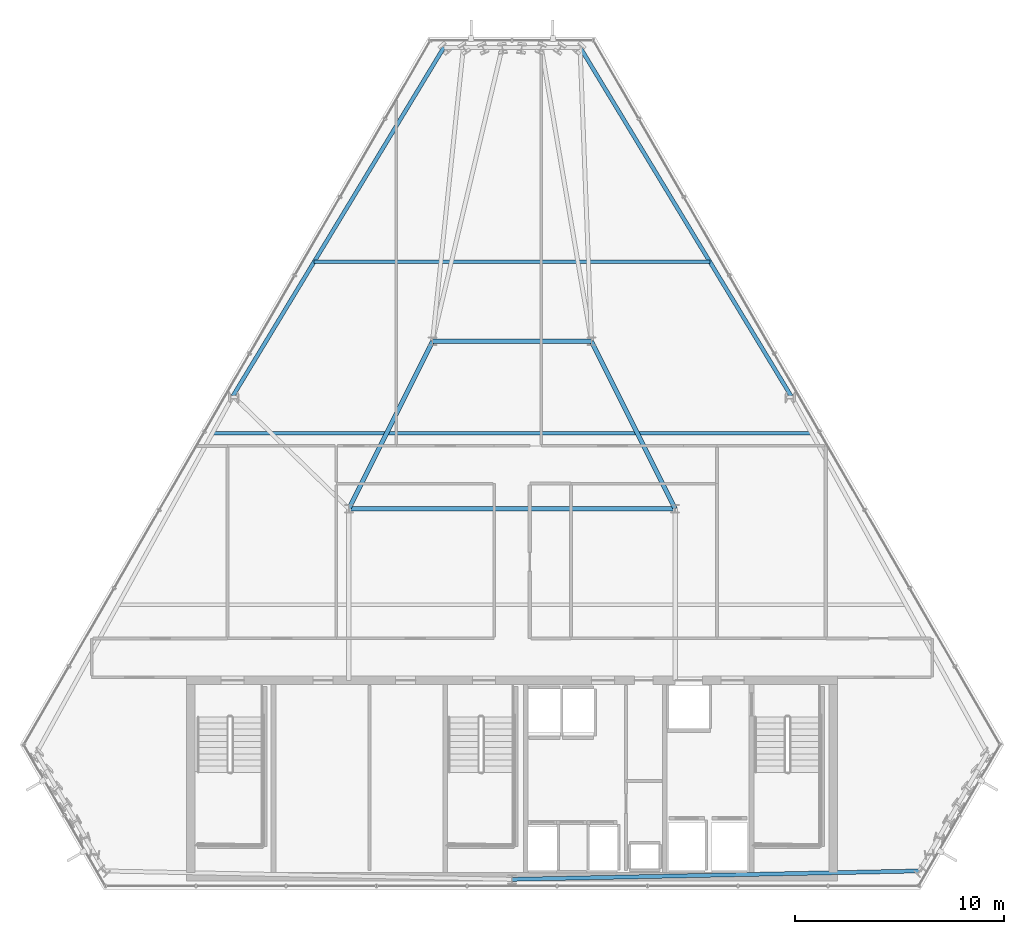
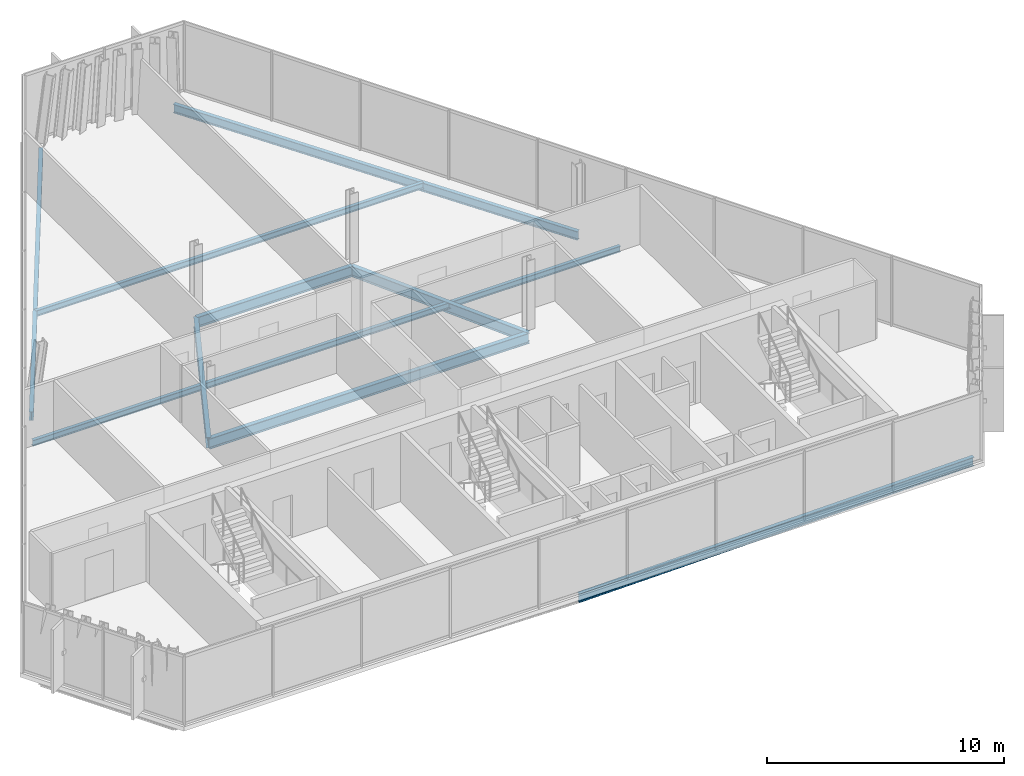
# One storey, part 13 of 30: 9 beams.
"""IFC4 building model written with IfcOpenShell, lengths in metres."""

from ifc_helpers import new_model, si_unit, direction, frame, origin, origin_2d, place, context, subcontext, project, spatial, i_section, extrude, material, material_profile, profile_set, type_object, element, save


model = new_model("IFC4")

# Units and contexts
model_context = context("Model", 3, precision=1e-05, world=origin(), true_north=direction((0.0, 1.0)))
body_context = subcontext(model_context, "Body", "Model", "MODEL_VIEW")
ifc_project = project(units=[si_unit("LENGTHUNIT", "METRE"), si_unit("AREAUNIT", "SQUARE_METRE"), si_unit("VOLUMEUNIT", "CUBIC_METRE"), si_unit("PLANEANGLEUNIT", "RADIAN"), si_unit("MASSUNIT", "GRAM", prefix="KILO")], contexts=[model_context])

# Site, building, storey
site_placement = place(None, origin())
site = spatial("IfcSite", under=ifc_project, at=site_placement, CompositionType="ELEMENT")
building_placement = place(site_placement, origin())
building = spatial("IfcBuilding", under=site, at=building_placement, Name="Ndaravel Arena Tower", CompositionType="ELEMENT")
storey_placement = place(building_placement, frame((0.0, 0.0, 225.60009765625)))
storey = spatial("IfcBuildingStorey", under=building, at=storey_placement, Name="L54", CompositionType="ELEMENT", Elevation=225.60009765625)

# Beams
ifc_material_1 = material(Name="Steel S355", Category="steel")
ifc_material_profile_1 = material_profile(ifc_material_1, i_section(OverallWidth=0.210693359375, OverallDepth=0.53955078125, WebThickness=0.01171875, FlangeThickness=0.018798828125, FilletRadius=0.0126953125, at=origin_2d()), Name="UB 533x210x109")
ifc_profile_set_1 = profile_set([ifc_material_profile_1], Name="Steel S355")
beam_type_1 = type_object("IfcBeamType", Name="BM-GIRD-UB533", PredefinedType="BEAM", material=ifc_profile_set_1)
beam_1_placement = place(storey_placement, frame((34.199951171875, 23.199951171875, -0.48974609375), z_axis=(1.0, 0.0, 0.0), x_axis=(0.0, 1.0, 0.0)))
element("IfcBeam", 1, at=beam_1_placement, inside=storey, type_object=beam_type_1, Name="L54 Spine Link Girder SLG-03", PredefinedType="BEAM", context=body_context, shape_type="SweptSolid", body=[
    extrude(i_section(OverallWidth=0.210693359375, OverallDepth=0.53955078125, WebThickness=0.01171875, FlangeThickness=0.018798828125, FilletRadius=0.0126953125, at=origin_2d()), origin(), (0.0, 0.0, 1.0), 15.60009765625),
])
for number, where, z_axis, x_axis, name in (
    (2, (34.199951171875, 23.199951171875, -0.48974609375), (0.4472135955, 0.894427191, 0.0), (-0.894427191, 0.4472135955, 0.0), "L54 Spine Link Girder SLG-04"),
    (3, (49.800048828125, 23.199951171875, -0.48974609375), (-0.4472135955, 0.894427191, 0.0), (-0.894427191, -0.4472135955, 0.0), "L54 Spine Link Girder SLG-05"),
):
    element("IfcBeam", number, at=place(storey_placement, frame(where, z_axis=z_axis, x_axis=x_axis)), inside=storey, type_object=beam_type_1, Name=name, PredefinedType="BEAM", context=body_context, shape_type="SweptSolid", body=[
        extrude(i_section(OverallWidth=0.210693359375, OverallDepth=0.53955078125, WebThickness=0.01171875, FlangeThickness=0.018798828125, FilletRadius=0.0126953125, at=origin_2d()), origin(), (0.0, 0.0, 1.0), 8.9443359375),
    ])
beam_2_placement = place(storey_placement, frame((38.199951171875, 31.199951171875, -0.48974609375), z_axis=(1.0, 0.0, 0.0), x_axis=(0.0, 1.0, 0.0)))
element("IfcBeam", 4, at=beam_2_placement, inside=storey, type_object=beam_type_1, Name="L54 Spine Link Girder SLG-06", PredefinedType="BEAM", context=body_context, shape_type="SweptSolid", body=[
    extrude(i_section(OverallWidth=0.210693359375, OverallDepth=0.53955078125, WebThickness=0.01171875, FlangeThickness=0.018798828125, FilletRadius=0.0126953125, at=origin_2d()), origin(), (0.0, 0.0, 1.0), 7.60009765625),
])
ifc_material_2 = material(Name="Steel S355", Category="steel")
ifc_material_profile_2 = material_profile(ifc_material_2, i_section(OverallWidth=0.165771484375, OverallDepth=0.306640625, WebThickness=0.006591796875, FlangeThickness=0.01171875, FilletRadius=0.0087890625, at=origin_2d()), Name="UB 305x165x46")
ifc_profile_set_2 = profile_set([ifc_material_profile_2], Name="Steel S355")
beam_type_2 = type_object("IfcBeamType", Name="BM-JOIST-UB305", PredefinedType="JOIST", material=ifc_profile_set_2)
beam_3_placement = place(storey_placement, frame((27.675048828125, 26.800048828125, -0.373291015625), z_axis=(1.0, 0.0, 0.0), x_axis=(0.0, 1.0, 0.0)))
element("IfcBeam", 5, at=beam_3_placement, inside=storey, type_object=beam_type_2, Name="L54 Composite Floor Joist FJ-02", PredefinedType="JOIST", context=body_context, shape_type="SweptSolid", body=[
    extrude(i_section(OverallWidth=0.165771484375, OverallDepth=0.306640625, WebThickness=0.006591796875, FlangeThickness=0.01171875, FilletRadius=0.0087890625, at=origin_2d()), origin(), (0.0, 0.0, 1.0), 28.64990234375),
])
beam_4_placement = place(storey_placement, frame((32.539306640625, 35.0, -0.373291015625), z_axis=(1.0, 0.0, 0.0), x_axis=(0.0, 1.0, 0.0)))
element("IfcBeam", 6, at=beam_4_placement, inside=storey, type_object=beam_type_2, Name="L54 Composite Floor Joist FJ-03", PredefinedType="JOIST", context=body_context, shape_type="SweptSolid", body=[
    extrude(i_section(OverallWidth=0.165771484375, OverallDepth=0.306640625, WebThickness=0.006591796875, FlangeThickness=0.01171875, FilletRadius=0.0087890625, at=origin_2d()), origin(), (0.0, 0.0, 1.0), 18.92138671875),
])
ifc_material_3 = material(Name="Steel S355", Category="steel")
ifc_material_profile_3 = material_profile(ifc_material_3, i_section(OverallWidth=0.18994140625, OverallDepth=0.449951171875, WebThickness=0.009521484375, FlangeThickness=0.0146484375, FilletRadius=0.02099609375, at=origin_2d()), Name="IPE 450")
ifc_profile_set_3 = profile_set([ifc_material_profile_3], Name="Steel S355")
beam_type_3 = type_object("IfcBeamType", Name="BM-SPAN-IPE450", PredefinedType="SPANDREL", material=ifc_profile_set_3)
for number, where, z_axis, x_axis, name in (
    (7, (42.0, 5.47998046875, -0.445068359375), (0.999786791244, 0.020648778504, 0.0), (-0.020648778504, 0.999786791244, 0.0), "L54 Perimeter Spandrel Beam SP-01"),
    (8, (55.34130859375, 28.587890625, -0.445068359375), (-0.517771790163, 0.855518774377, 0.0), (-0.855518774377, -0.517771790163, 0.0), "L54 Perimeter Spandrel Beam SP-10"),
    (9, (38.74755859375, 45.2578125, -0.445068359375), (-0.517771790163, -0.855518774377, 0.0), (0.855518774377, -0.517771790163, 0.0), "L54 Perimeter Spandrel Beam SP-18"),
):
    element("IfcBeam", number, at=place(storey_placement, frame(where, z_axis=z_axis, x_axis=x_axis)), inside=storey, type_object=beam_type_3, Name=name, PredefinedType="SPANDREL", context=body_context, shape_type="SweptSolid", body=[
        extrude(i_section(OverallWidth=0.18994140625, OverallDepth=0.449951171875, WebThickness=0.009521484375, FlangeThickness=0.0146484375, FilletRadius=0.02099609375, at=origin_2d()), origin(), (0.0, 0.0, 1.0), 19.485107421875),
    ])

save(model, "model.ifc")
